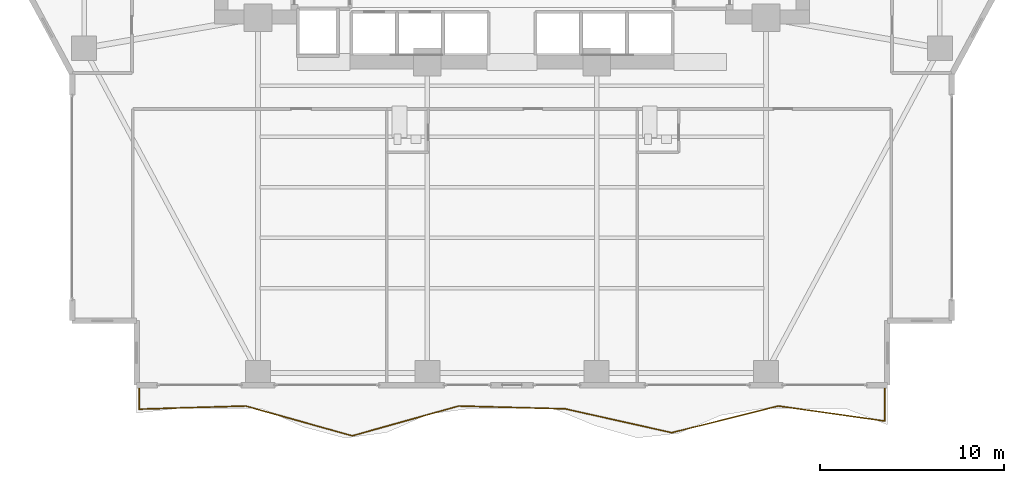
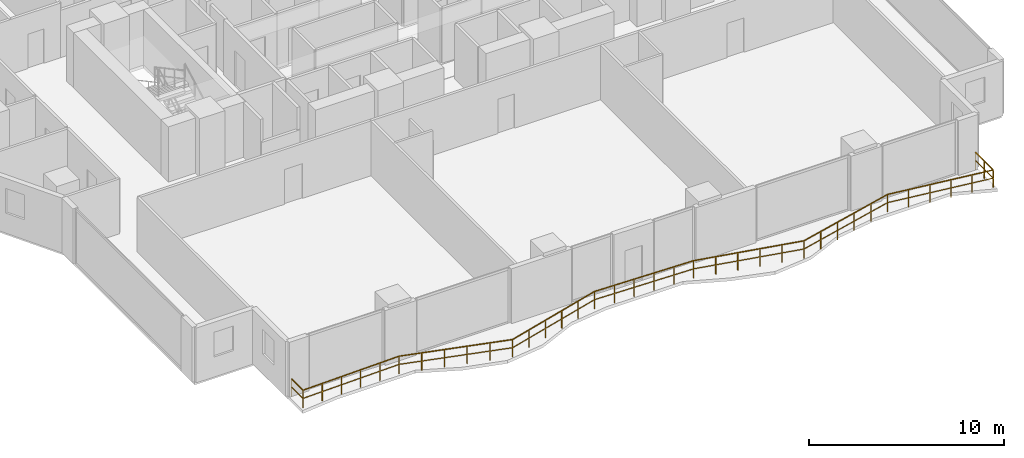
# One storey, part 26 of 29: 1 railing.
"""IFC4 building model written with IfcOpenShell, lengths in metres."""

from ifc_helpers import new_model, si_unit, direction, frame, origin, origin_2d, place, context, subcontext, project, spatial, rectangle, extrude, material, type_object, element, save


model = new_model("IFC4")

# Units and contexts
model_context = context("Model", 3, precision=1e-05, world=origin(), true_north=direction((0.0, 1.0)))
body_context = subcontext(model_context, "Body", "Model", "MODEL_VIEW")
ifc_project = project(units=[si_unit("LENGTHUNIT", "METRE"), si_unit("AREAUNIT", "SQUARE_METRE"), si_unit("VOLUMEUNIT", "CUBIC_METRE"), si_unit("PLANEANGLEUNIT", "RADIAN"), si_unit("MASSUNIT", "GRAM", prefix="KILO")], contexts=[model_context])

# Site, building, storey
site_placement = place(None, origin())
site = spatial("IfcSite", under=ifc_project, at=site_placement, CompositionType="ELEMENT")
building_placement = place(site_placement, origin())
building = spatial("IfcBuilding", under=site, at=building_placement, Name="Zuhayl Quay Hotel", CompositionType="ELEMENT")
storey_placement = place(building_placement, frame((0.0, 0.0, 113.89990234375)))
storey = spatial("IfcBuildingStorey", under=building, at=storey_placement, Name="L28", CompositionType="ELEMENT", Elevation=113.89990234375)

# Railing
ifc_material = material(Name="Anodised Aluminium and Laminated Glass", Category="aluminium")
railing_type = type_object("IfcRailingType", Name="RL_EXT_BAL_1100", PredefinedType="BALUSTRADE", material=ifc_material)
railing_placement = place(storey_placement, frame((-20.260009765625, -15.52001953125, 0.0)))
element("IfcRailing", 1, at=railing_placement, inside=storey, type_object=railing_type, Name="L28 Balcony and Terrace Guard GR_L28_BAL_S", PredefinedType="BALUSTRADE", context=body_context, shape_type="SweptSolid", body=[
    extrude(rectangle(XDim=0.048095703125, YDim=0.048095703125, at=origin_2d()), frame((0.0, 0.0, 1.09619140625), z_axis=(0.0, -1.0, 0.0), x_axis=(1.0, 0.0, 0.0)), (0.0, 0.0, 1.0), 1.191162109375),
    extrude(rectangle(XDim=0.0361328125, YDim=0.0361328125, at=origin_2d()), frame((0.0, 0.0, 0.58251953125), z_axis=(0.0, -1.0, 0.0), x_axis=(1.0, 0.0, 0.0)), (0.0, 0.0, 1.0), 1.191162109375),
    extrude(rectangle(XDim=0.048095703125, YDim=0.048095703125, at=origin_2d()), frame((0.0, -1.191162109375, 1.09619140625), z_axis=(0.999563224443, 0.029552670617, 0.0), x_axis=(-0.029552670617, 0.999563224443, 0.0)), (0.0, 0.0, 1.0), 5.791015625),
    extrude(rectangle(XDim=0.0361328125, YDim=0.0361328125, at=origin_2d()), frame((0.0, -1.191162109375, 0.58251953125), z_axis=(0.999563224443, 0.029552670617, 0.0), x_axis=(-0.029552670617, 0.999563224443, 0.0)), (0.0, 0.0, 1.0), 5.791015625),
    extrude(rectangle(XDim=0.048095703125, YDim=0.048095703125, at=origin_2d()), frame((5.78857421875, -1.02001953125, 1.09619140625), z_axis=(0.963004082675, -0.269486802554, 0.0), x_axis=(0.269486802554, 0.963004082675, 0.0)), (0.0, 0.0, 1.0), 6.010986328125),
    extrude(rectangle(XDim=0.0361328125, YDim=0.0361328125, at=origin_2d()), frame((5.78857421875, -1.02001953125, 0.58251953125), z_axis=(0.963004082675, -0.269486802554, 0.0), x_axis=(0.269486802554, 0.963004082675, 0.0)), (0.0, 0.0, 1.0), 6.010986328125),
    extrude(rectangle(XDim=0.048095703125, YDim=0.048095703125, at=origin_2d()), frame((11.5771484375, -2.639892578125, 1.09619140625), z_axis=(0.963004082675, 0.269486802554, 0.0), x_axis=(-0.269486802554, 0.963004082675, 0.0)), (0.0, 0.0, 1.0), 6.010986328125),
    extrude(rectangle(XDim=0.0361328125, YDim=0.0361328125, at=origin_2d()), frame((11.5771484375, -2.639892578125, 0.58251953125), z_axis=(0.963004082675, 0.269486802554, 0.0), x_axis=(-0.269486802554, 0.963004082675, 0.0)), (0.0, 0.0, 1.0), 6.010986328125),
    extrude(rectangle(XDim=0.048095703125, YDim=0.048095703125, at=origin_2d()), frame((17.36572265625, -1.02001953125, 1.09619140625), z_axis=(0.999639296186, -0.026856610361, 0.0), x_axis=(0.026856610361, 0.999639296186, 0.0)), (0.0, 0.0, 1.0), 5.790771484375),
    extrude(rectangle(XDim=0.0361328125, YDim=0.0361328125, at=origin_2d()), frame((17.36572265625, -1.02001953125, 0.58251953125), z_axis=(0.999639296186, -0.026856610361, 0.0), x_axis=(0.026856610361, 0.999639296186, 0.0)), (0.0, 0.0, 1.0), 5.790771484375),
    extrude(rectangle(XDim=0.048095703125, YDim=0.048095703125, at=origin_2d()), frame((23.154296875, -1.175537109375, 1.09619140625), z_axis=(0.975950162849, -0.217993760542, 0.0), x_axis=(0.217993760542, 0.975950162849, 0.0)), (0.0, 0.0, 1.0), 5.93115234375),
    extrude(rectangle(XDim=0.0361328125, YDim=0.0361328125, at=origin_2d()), frame((23.154296875, -1.175537109375, 0.58251953125), z_axis=(0.975950162849, -0.217993760542, 0.0), x_axis=(0.217993760542, 0.975950162849, 0.0)), (0.0, 0.0, 1.0), 5.93115234375),
    extrude(rectangle(XDim=0.048095703125, YDim=0.048095703125, at=origin_2d()), frame((28.94287109375, -2.468505859375, 1.09619140625), z_axis=(0.970089528483, 0.242747413433, 0.0), x_axis=(-0.242747413433, 0.970089528483, 0.0)), (0.0, 0.0, 1.0), 5.967041015625),
    extrude(rectangle(XDim=0.0361328125, YDim=0.0361328125, at=origin_2d()), frame((28.94287109375, -2.468505859375, 0.58251953125), z_axis=(0.970089528483, 0.242747413433, 0.0), x_axis=(-0.242747413433, 0.970089528483, 0.0)), (0.0, 0.0, 1.0), 5.967041015625),
    extrude(rectangle(XDim=0.048095703125, YDim=0.048095703125, at=origin_2d()), frame((34.7314453125, -1.02001953125, 1.09619140625), z_axis=(0.99023478963, -0.139409689067, 0.0), x_axis=(0.139409689067, 0.99023478963, 0.0)), (0.0, 0.0, 1.0), 5.845703125),
    extrude(rectangle(XDim=0.0361328125, YDim=0.0361328125, at=origin_2d()), frame((34.7314453125, -1.02001953125, 0.58251953125), z_axis=(0.99023478963, -0.139409689067, 0.0), x_axis=(0.139409689067, 0.99023478963, 0.0)), (0.0, 0.0, 1.0), 5.845703125),
    extrude(rectangle(XDim=0.048095703125, YDim=0.048095703125, at=origin_2d()), frame((40.52001953125, -1.8349609375, 1.09619140625), z_axis=(0.0, 1.0, 0.0), x_axis=(-1.0, 0.0, 0.0)), (0.0, 0.0, 1.0), 1.8349609375),
    extrude(rectangle(XDim=0.0361328125, YDim=0.0361328125, at=origin_2d()), frame((40.52001953125, -1.8349609375, 0.58251953125), z_axis=(0.0, 1.0, 0.0), x_axis=(-1.0, 0.0, 0.0)), (0.0, 0.0, 1.0), 1.8349609375),
    extrude(rectangle(XDim=0.0419921875, YDim=0.0419921875, at=origin_2d()), origin(), (0.0, 0.0, 1.0), 1.072021484375),
    extrude(rectangle(XDim=0.0419921875, YDim=0.0419921875, at=origin_2d()), frame((0.0, -1.191162109375, 0.0)), (0.0, 0.0, 1.0), 1.072021484375),
    extrude(rectangle(XDim=0.0419921875, YDim=0.0419921875, at=origin_2d()), frame((1.15771484375, -1.156982421875, 0.0)), (0.0, 0.0, 1.0), 1.072021484375),
    extrude(rectangle(XDim=0.0419921875, YDim=0.0419921875, at=origin_2d()), frame((2.3154296875, -1.122802734375, 0.0)), (0.0, 0.0, 1.0), 1.072021484375),
    extrude(rectangle(XDim=0.0419921875, YDim=0.0419921875, at=origin_2d()), frame((3.47314453125, -1.08837890625, 0.0)), (0.0, 0.0, 1.0), 1.072021484375),
    extrude(rectangle(XDim=0.0419921875, YDim=0.0419921875, at=origin_2d()), frame((4.630859375, -1.05419921875, 0.0)), (0.0, 0.0, 1.0), 1.072021484375),
    extrude(rectangle(XDim=0.0419921875, YDim=0.0419921875, at=origin_2d()), frame((5.78857421875, -1.02001953125, 0.0)), (0.0, 0.0, 1.0), 1.072021484375),
    extrude(rectangle(XDim=0.0419921875, YDim=0.0419921875, at=origin_2d()), frame((6.9462890625, -1.343994140625, 0.0)), (0.0, 0.0, 1.0), 1.072021484375),
    extrude(rectangle(XDim=0.0419921875, YDim=0.0419921875, at=origin_2d()), frame((8.10400390625, -1.66796875, 0.0)), (0.0, 0.0, 1.0), 1.072021484375),
    extrude(rectangle(XDim=0.0419921875, YDim=0.0419921875, at=origin_2d()), frame((9.26171875, -1.991943359375, 0.0)), (0.0, 0.0, 1.0), 1.072021484375),
    extrude(rectangle(XDim=0.0419921875, YDim=0.0419921875, at=origin_2d()), frame((10.41943359375, -2.31591796875, 0.0)), (0.0, 0.0, 1.0), 1.072021484375),
    extrude(rectangle(XDim=0.0419921875, YDim=0.0419921875, at=origin_2d()), frame((11.5771484375, -2.639892578125, 0.0)), (0.0, 0.0, 1.0), 1.072021484375),
    extrude(rectangle(XDim=0.0419921875, YDim=0.0419921875, at=origin_2d()), frame((12.73486328125, -2.31591796875, 0.0)), (0.0, 0.0, 1.0), 1.072021484375),
    extrude(rectangle(XDim=0.0419921875, YDim=0.0419921875, at=origin_2d()), frame((13.892578125, -1.991943359375, 0.0)), (0.0, 0.0, 1.0), 1.072021484375),
    extrude(rectangle(XDim=0.0419921875, YDim=0.0419921875, at=origin_2d()), frame((15.05029296875, -1.66796875, 0.0)), (0.0, 0.0, 1.0), 1.072021484375),
    extrude(rectangle(XDim=0.0419921875, YDim=0.0419921875, at=origin_2d()), frame((16.2080078125, -1.343994140625, 0.0)), (0.0, 0.0, 1.0), 1.072021484375),
    extrude(rectangle(XDim=0.0419921875, YDim=0.0419921875, at=origin_2d()), frame((17.36572265625, -1.02001953125, 0.0)), (0.0, 0.0, 1.0), 1.072021484375),
    extrude(rectangle(XDim=0.0419921875, YDim=0.0419921875, at=origin_2d()), frame((18.5234375, -1.051025390625, 0.0)), (0.0, 0.0, 1.0), 1.072021484375),
    extrude(rectangle(XDim=0.0419921875, YDim=0.0419921875, at=origin_2d()), frame((19.68115234375, -1.082275390625, 0.0)), (0.0, 0.0, 1.0), 1.072021484375),
    extrude(rectangle(XDim=0.0419921875, YDim=0.0419921875, at=origin_2d()), frame((20.8388671875, -1.11328125, 0.0)), (0.0, 0.0, 1.0), 1.072021484375),
    extrude(rectangle(XDim=0.0419921875, YDim=0.0419921875, at=origin_2d()), frame((21.99658203125, -1.14453125, 0.0)), (0.0, 0.0, 1.0), 1.072021484375),
    extrude(rectangle(XDim=0.0419921875, YDim=0.0419921875, at=origin_2d()), frame((23.154296875, -1.175537109375, 0.0)), (0.0, 0.0, 1.0), 1.072021484375),
    extrude(rectangle(XDim=0.0419921875, YDim=0.0419921875, at=origin_2d()), frame((24.31201171875, -1.43408203125, 0.0)), (0.0, 0.0, 1.0), 1.072021484375),
    extrude(rectangle(XDim=0.0419921875, YDim=0.0419921875, at=origin_2d()), frame((25.4697265625, -1.692626953125, 0.0)), (0.0, 0.0, 1.0), 1.072021484375),
    extrude(rectangle(XDim=0.0419921875, YDim=0.0419921875, at=origin_2d()), frame((26.62744140625, -1.951416015625, 0.0)), (0.0, 0.0, 1.0), 1.072021484375),
    extrude(rectangle(XDim=0.0419921875, YDim=0.0419921875, at=origin_2d()), frame((27.78515625, -2.2099609375, 0.0)), (0.0, 0.0, 1.0), 1.072021484375),
    extrude(rectangle(XDim=0.0419921875, YDim=0.0419921875, at=origin_2d()), frame((28.94287109375, -2.468505859375, 0.0)), (0.0, 0.0, 1.0), 1.072021484375),
    extrude(rectangle(XDim=0.0419921875, YDim=0.0419921875, at=origin_2d()), frame((30.1005859375, -2.1787109375, 0.0)), (0.0, 0.0, 1.0), 1.072021484375),
    extrude(rectangle(XDim=0.0419921875, YDim=0.0419921875, at=origin_2d()), frame((31.25830078125, -1.88916015625, 0.0)), (0.0, 0.0, 1.0), 1.072021484375),
    extrude(rectangle(XDim=0.0419921875, YDim=0.0419921875, at=origin_2d()), frame((32.416015625, -1.599365234375, 0.0)), (0.0, 0.0, 1.0), 1.072021484375),
    extrude(rectangle(XDim=0.0419921875, YDim=0.0419921875, at=origin_2d()), frame((33.57373046875, -1.309814453125, 0.0)), (0.0, 0.0, 1.0), 1.072021484375),
    extrude(rectangle(XDim=0.0419921875, YDim=0.0419921875, at=origin_2d()), frame((34.7314453125, -1.02001953125, 0.0)), (0.0, 0.0, 1.0), 1.072021484375),
    extrude(rectangle(XDim=0.0419921875, YDim=0.0419921875, at=origin_2d()), frame((35.88916015625, -1.18310546875, 0.0)), (0.0, 0.0, 1.0), 1.072021484375),
    extrude(rectangle(XDim=0.0419921875, YDim=0.0419921875, at=origin_2d()), frame((37.046875, -1.345947265625, 0.0)), (0.0, 0.0, 1.0), 1.072021484375),
    extrude(rectangle(XDim=0.0419921875, YDim=0.0419921875, at=origin_2d()), frame((38.20458984375, -1.509033203125, 0.0)), (0.0, 0.0, 1.0), 1.072021484375),
    extrude(rectangle(XDim=0.0419921875, YDim=0.0419921875, at=origin_2d()), frame((39.3623046875, -1.671875, 0.0)), (0.0, 0.0, 1.0), 1.072021484375),
    extrude(rectangle(XDim=0.0419921875, YDim=0.0419921875, at=origin_2d()), frame((40.52001953125, -1.8349609375, 0.0)), (0.0, 0.0, 1.0), 1.072021484375),
    extrude(rectangle(XDim=0.0419921875, YDim=0.0419921875, at=origin_2d()), frame((40.52001953125, -0.91748046875, 0.0)), (0.0, 0.0, 1.0), 1.072021484375),
    extrude(rectangle(XDim=0.0419921875, YDim=0.0419921875, at=origin_2d()), frame((40.52001953125, 0.0, 0.0)), (0.0, 0.0, 1.0), 1.072021484375),
])

save(model, "model.ifc")
